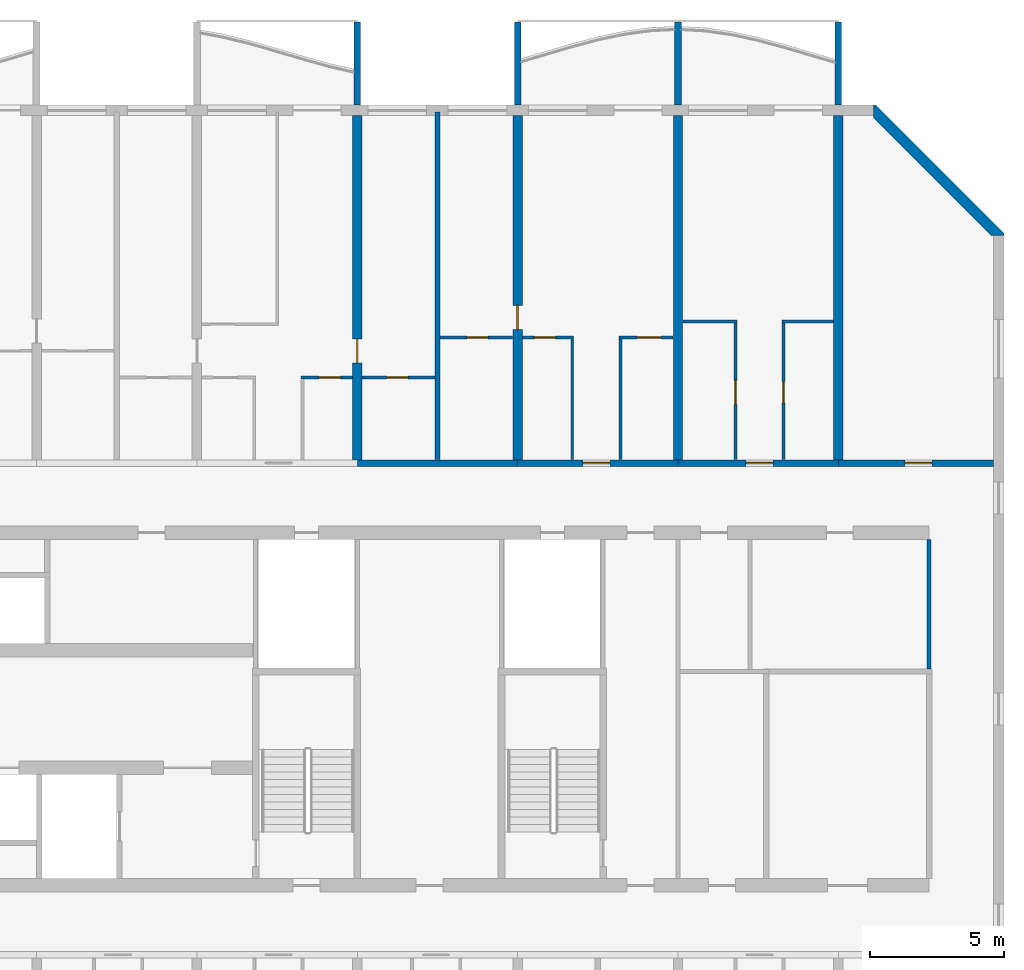
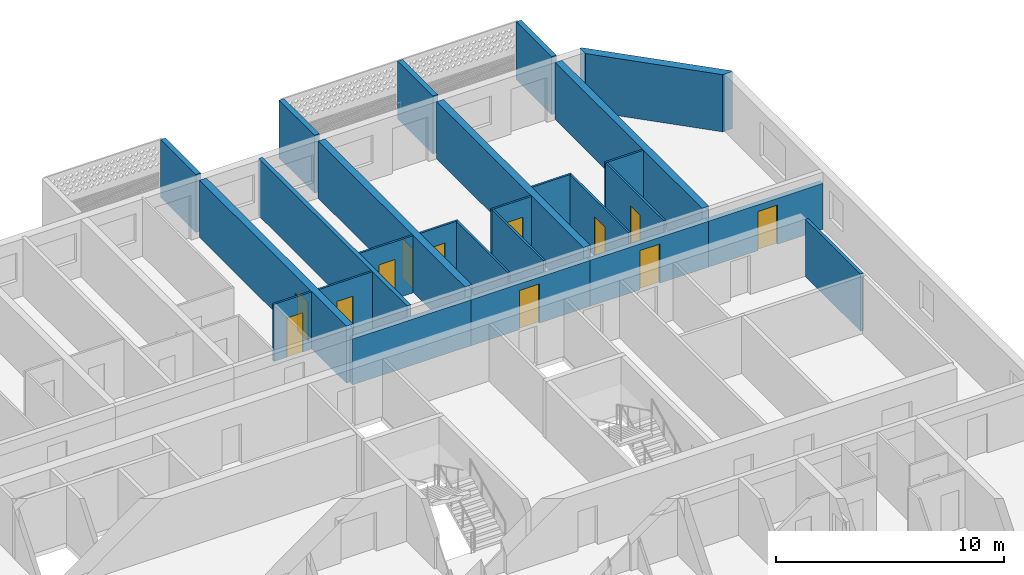
# One storey, part 15 of 26: 26 walls, 12 doors, 12 openings.
"""IFC4 building model written with IfcOpenShell, lengths in metres."""

from ifc_helpers import new_model, si_unit, direction, frame, frame_2d, origin, place, context, subcontext, project, spatial, polyline, rectangle, outline, extrude, source, transform, mapped, material, layer, layer_set, type_object, element, fill, save


model = new_model("IFC4")

# Units and contexts
model_context = context("Model", 3, precision=1e-05, world=origin(), true_north=direction((0.0, 1.0)))
body_context = subcontext(model_context, "Body", "Model", "MODEL_VIEW")
ifc_project = project(units=[si_unit("LENGTHUNIT", "METRE"), si_unit("AREAUNIT", "SQUARE_METRE"), si_unit("VOLUMEUNIT", "CUBIC_METRE"), si_unit("PLANEANGLEUNIT", "RADIAN"), si_unit("MASSUNIT", "GRAM", prefix="KILO")], contexts=[model_context])

# Site, building, storey
site_placement = place(None, origin())
site = spatial("IfcSite", under=ifc_project, at=site_placement, CompositionType="ELEMENT")
building_placement = place(site_placement, origin())
building = spatial("IfcBuilding", under=site, at=building_placement, Name="Poui Terraces", CompositionType="ELEMENT")
storey_placement = place(building_placement, frame((0.0, 0.0, 79.5)))
storey = spatial("IfcBuildingStorey", under=building, at=storey_placement, Name="L21", CompositionType="ELEMENT", Elevation=79.5)

# Walls
ifc_material_1 = material(Name="Fire-rated plasterboard wall")
ifc_layer_1 = layer(ifc_material_1, 0.14990234375)
ifc_layer_set_1 = layer_set([ifc_layer_1], Name="Fire-rated plasterboard wall")
wall_type_1 = type_object("IfcWallType", Name="CORRIDOR WALL 150", PredefinedType="PARTITIONING", material=ifc_layer_set_1)
wall_1_placement = place(storey_placement, frame((93.39990234375, 22.699951171875, 0.0), z_axis=(0.0, 0.0, 1.0), x_axis=(0.0, 1.0, 0.0)))
element("IfcWall", 1, at=wall_1_placement, inside=storey, type_object=wall_type_1, Name="CORRIDOR WALL 150", PredefinedType="PARTITIONING", context=body_context, shape_type="SweptSolid", body=[
    extrude(rectangle(XDim=4.840087890625, YDim=0.14990234375, at=frame_2d((2.419921875, 0.0))), origin(), (0.0, 0.0, 1.0), 3.06005859375),
])
ifc_material_2 = material(Name="Concrete 65 MPa", Category="concrete")
ifc_layer_2 = layer(ifc_material_2, 0.25)
ifc_layer_set_2 = layer_set([ifc_layer_2], Name="Concrete 65 MPa")
wall_type_2 = type_object("IfcWallType", Name="CORRIDOR WALL 250 65MPa", PredefinedType="SHEAR", material=ifc_layer_set_2)
wall_2_placement = place(storey_placement, frame((72.0, 30.39990234375, 0.0), z_axis=(0.0, 0.0, 1.0), x_axis=(1.0, 0.0, 0.0)))
element("IfcWall", 2, at=wall_2_placement, inside=storey, type_object=wall_type_2, Name="CORRIDOR WALL LINE E BAY 12", PredefinedType="SHEAR", context=body_context, shape_type="SweptSolid", body=[
    extrude(rectangle(XDim=6.0, YDim=0.25, at=frame_2d((3.0, 0.0))), origin(), (0.0, 0.0, 1.0), 2.4599609375),
])

# Wall, opening, door
wall_3_placement = place(storey_placement, frame((78.0, 30.39990234375, 0.0), z_axis=(0.0, 0.0, 1.0), x_axis=(1.0, 0.0, 0.0)))
wall_3 = element("IfcWall", 3, at=wall_3_placement, inside=storey, type_object=wall_type_2, Name="CORRIDOR WALL LINE E BAY 13", PredefinedType="SHEAR", context=body_context, shape_type="SweptSolid", body=[
    extrude(rectangle(XDim=6.0, YDim=0.25, at=frame_2d((3.0, 0.0))), origin(), (0.0, 0.0, 1.0), 2.4599609375),
])
opening_1_placement = place(wall_3_placement, frame((2.449951171875, 0.0, 0.0)))
opening_1 = element("IfcOpeningElement", 4, at=opening_1_placement, cuts=wall_3, Name="Opening FD30S", PredefinedType="OPENING", context=body_context, shape_type="SweptSolid", body=[
    extrude(rectangle(XDim=1.0, YDim=2.10009765625, at=frame_2d((0.5, 1.050048828125))), frame((0.0, 0.135009765625, 0.0), z_axis=(0.0, -1.0, 0.0), x_axis=(1.0, 0.0, 0.0)), (0.0, 0.0, 1.0), 0.27001953125),
])
ifc_material_3 = material(Name="Steel fire door", Category="steel")
door_type_1 = type_object("IfcDoorType", Name="FLAT ENTRANCE DOOR 1000 X 2100", OperationType="NOTDEFINED", PredefinedType="DOOR", material=ifc_material_3)
door_1_placement = place(opening_1_placement, origin())
door_1 = element("IfcDoor", 5, at=door_1_placement, inside=storey, type_object=door_type_1, Name="FLAT ENTRANCE DOOR 077", OperationType="SINGLE_SWING_LEFT", OverallHeight=2.10009765625, OverallWidth=1.0, PredefinedType="DOOR", context=body_context, shape_type="SweptSolid", body=[
    extrude(rectangle(XDim=1.0, YDim=2.10009765625, at=frame_2d((0.5, 1.050048828125))), frame((0.0, 0.02490234375, 0.0), z_axis=(0.0, -1.0, 0.0), x_axis=(1.0, 0.0, 0.0)), (0.0, 0.0, 1.0), 0.050048828125),
])
fill(opening_1, door_1)

wall_4_placement = place(storey_placement, frame((84.0, 30.39990234375, 0.0), z_axis=(0.0, 0.0, 1.0), x_axis=(1.0, 0.0, 0.0)))
wall_4 = element("IfcWall", 6, at=wall_4_placement, inside=storey, type_object=wall_type_2, Name="CORRIDOR WALL LINE E BAY 14", PredefinedType="SHEAR", context=body_context, shape_type="SweptSolid", body=[
    extrude(rectangle(XDim=6.0, YDim=0.25, at=frame_2d((3.0, 0.0))), origin(), (0.0, 0.0, 1.0), 2.4599609375),
])
opening_2_placement = place(wall_4_placement, frame((2.550048828125, 0.0, 0.0)))
opening_2 = element("IfcOpeningElement", 7, at=opening_2_placement, cuts=wall_4, Name="Opening FD30S", PredefinedType="OPENING", context=body_context, shape_type="SweptSolid", body=[
    extrude(rectangle(XDim=1.0, YDim=2.10009765625, at=frame_2d((0.5, 1.050048828125))), frame((0.0, 0.135009765625, 0.0), z_axis=(0.0, -1.0, 0.0), x_axis=(1.0, 0.0, 0.0)), (0.0, 0.0, 1.0), 0.27001953125),
])
door_2_placement = place(opening_2_placement, origin())
door_2 = element("IfcDoor", 8, at=door_2_placement, inside=storey, type_object=door_type_1, Name="FLAT ENTRANCE DOOR 080", OperationType="SINGLE_SWING_RIGHT", OverallHeight=2.10009765625, OverallWidth=1.0, PredefinedType="DOOR", context=body_context, shape_type="SweptSolid", body=[
    extrude(rectangle(XDim=1.0, YDim=2.10009765625, at=frame_2d((0.5, 1.050048828125))), frame((0.0, 0.02490234375, 0.0), z_axis=(0.0, -1.0, 0.0), x_axis=(1.0, 0.0, 0.0)), (0.0, 0.0, 1.0), 0.050048828125),
])
fill(opening_2, door_2)

wall_5_placement = place(storey_placement, frame((90.0, 30.39990234375, 0.0), z_axis=(0.0, 0.0, 1.0), x_axis=(1.0, 0.0, 0.0)))
wall_5 = element("IfcWall", 9, at=wall_5_placement, inside=storey, type_object=wall_type_2, Name="CORRIDOR WALL LINE E BAY 15", PredefinedType="SHEAR", context=body_context, shape_type="SweptSolid", body=[
    extrude(rectangle(XDim=5.800048828125, YDim=0.25, at=frame_2d((2.89990234375, 0.0))), origin(), (0.0, 0.0, 1.0), 2.4599609375),
])
opening_3_placement = place(wall_5_placement, frame((2.5, 0.0, 0.0)))
opening_3 = element("IfcOpeningElement", 10, at=opening_3_placement, cuts=wall_5, Name="Opening D100", PredefinedType="OPENING", context=body_context, shape_type="SweptSolid", body=[
    extrude(rectangle(XDim=1.0, YDim=2.10009765625, at=frame_2d((0.5, 1.050048828125))), frame((0.0, 0.135009765625, 0.0), z_axis=(0.0, -1.0, 0.0), x_axis=(1.0, 0.0, 0.0)), (0.0, 0.0, 1.0), 0.27001953125),
])
ifc_material_4 = material(Name="Solid core timber door", Category="wood")
door_type_2 = type_object("IfcDoorType", Name="ACCESSIBLE INTERNAL DOOR 1000 X 2100", OperationType="NOTDEFINED", PredefinedType="DOOR", material=ifc_material_4)
door_3_placement = place(opening_3_placement, origin())
door_3 = element("IfcDoor", 11, at=door_3_placement, inside=storey, type_object=door_type_2, Name="ACCESSIBLE INTERNAL DOOR 082", OperationType="SINGLE_SWING_LEFT", OverallHeight=2.10009765625, OverallWidth=1.0, PredefinedType="DOOR", context=body_context, shape_type="SweptSolid", body=[
    extrude(rectangle(XDim=1.0, YDim=2.10009765625, at=frame_2d((0.5, 1.050048828125))), frame((0.0, 0.02490234375, 0.0), z_axis=(0.0, -1.0, 0.0), x_axis=(1.0, 0.0, 0.0)), (0.0, 0.0, 1.0), 0.050048828125),
])
fill(opening_3, door_3)

ifc_layer_3 = layer(ifc_material_2, 0.35009765625)
ifc_layer_set_3 = layer_set([ifc_layer_3], Name="Concrete 65 MPa")
wall_type_3 = type_object("IfcWallType", Name="CROSS WALL 350 65MPa", PredefinedType="SHEAR", material=ifc_layer_set_3)
wall_6_placement = place(storey_placement, frame((72.0, 30.52490234375, 0.0), z_axis=(0.0, 0.0, 1.0), x_axis=(0.0, 1.0, 0.0)))
wall_6 = element("IfcWall", 12, at=wall_6_placement, inside=storey, type_object=wall_type_3, Name="CROSS WALL LINE 13 NORTH", PredefinedType="SHEAR", context=body_context, shape_type="SweptSolid", body=[
    extrude(rectangle(XDim=12.875, YDim=0.35009765625, at=frame_2d((6.4375, 0.0))), origin(), (0.0, 0.0, 1.0), 3.06005859375),
])
opening_4_placement = place(wall_6_placement, frame((3.625, 0.0, 0.0)))
opening_4 = element("IfcOpeningElement", 13, at=opening_4_placement, cuts=wall_6, Name="Opening D90", PredefinedType="OPENING", context=body_context, shape_type="SweptSolid", body=[
    extrude(rectangle(XDim=0.89990234375, YDim=2.10009765625, at=frame_2d((0.449951171875, 1.050048828125))), frame((0.0, 0.18505859375, 0.0), z_axis=(0.0, -1.0, 0.0), x_axis=(1.0, 0.0, 0.0)), (0.0, 0.0, 1.0), 0.3701171875),
])
door_type_3 = type_object("IfcDoorType", Name="INTERNAL DOOR 900 X 2100", OperationType="NOTDEFINED", PredefinedType="DOOR", material=ifc_material_4)
door_4_placement = place(opening_4_placement, frame((0.89990234375, 0.0, 0.0), z_axis=(0.0, 0.0, 1.0), x_axis=(-1.0, 0.0, 0.0)))
door_4 = element("IfcDoor", 14, at=door_4_placement, inside=storey, type_object=door_type_3, Name="INTERNAL DOOR 073", OperationType="SINGLE_SWING_RIGHT", OverallHeight=2.10009765625, OverallWidth=0.89990234375, PredefinedType="DOOR", context=body_context, shape_type="SweptSolid", body=[
    extrude(rectangle(XDim=0.89990234375, YDim=2.10009765625, at=frame_2d((0.449951171875, 1.050048828125))), frame((0.0, 0.02490234375, 0.0), z_axis=(0.0, -1.0, 0.0), x_axis=(1.0, 0.0, 0.0)), (0.0, 0.0, 1.0), 0.050048828125),
])
fill(opening_4, door_4)

wall_7_placement = place(storey_placement, frame((78.0, 30.52490234375, 0.0), z_axis=(0.0, 0.0, 1.0), x_axis=(0.0, 1.0, 0.0)))
wall_7 = element("IfcWall", 15, at=wall_7_placement, inside=storey, type_object=wall_type_3, Name="CROSS WALL LINE 14 NORTH", PredefinedType="SHEAR", context=body_context, shape_type="SweptSolid", body=[
    extrude(rectangle(XDim=12.875, YDim=0.35009765625, at=frame_2d((6.4375, 0.0))), origin(), (0.0, 0.0, 1.0), 3.06005859375),
])
opening_5_placement = place(wall_7_placement, frame((4.875, 0.0, 0.0)))
opening_5 = element("IfcOpeningElement", 16, at=opening_5_placement, cuts=wall_7, Name="Opening D90", PredefinedType="OPENING", context=body_context, shape_type="SweptSolid", body=[
    extrude(rectangle(XDim=0.89990234375, YDim=2.10009765625, at=frame_2d((0.449951171875, 1.050048828125))), frame((0.0, 0.18505859375, 0.0), z_axis=(0.0, -1.0, 0.0), x_axis=(1.0, 0.0, 0.0)), (0.0, 0.0, 1.0), 0.3701171875),
])
door_5_placement = place(opening_5_placement, origin())
door_5 = element("IfcDoor", 17, at=door_5_placement, inside=storey, type_object=door_type_3, Name="INTERNAL DOOR 075", OperationType="SINGLE_SWING_LEFT", OverallHeight=2.10009765625, OverallWidth=0.89990234375, PredefinedType="DOOR", context=body_context, shape_type="SweptSolid", body=[
    extrude(rectangle(XDim=0.89990234375, YDim=2.10009765625, at=frame_2d((0.449951171875, 1.050048828125))), frame((0.0, 0.02490234375, 0.0), z_axis=(0.0, -1.0, 0.0), x_axis=(1.0, 0.0, 0.0)), (0.0, 0.0, 1.0), 0.050048828125),
])
fill(opening_5, door_5)

# Walls
for number, where, z_axis, x_axis, name in (
    (18, (84.0, 30.52490234375, 0.0), (0.0, 0.0, 1.0), (0.0, 1.0, 0.0), "CROSS WALL LINE 15 NORTH"),
    (19, (90.0, 30.52490234375, 0.0), (0.0, 0.0, 1.0), (0.0, 1.0, 0.0), "CROSS WALL LINE 16 NORTH"),
):
    element("IfcWall", number, at=place(storey_placement, frame(where, z_axis=z_axis, x_axis=x_axis)), inside=storey, type_object=wall_type_3, Name=name, PredefinedType="SHEAR", context=body_context, shape_type="SweptSolid", body=[
        extrude(rectangle(XDim=12.875, YDim=0.35009765625, at=frame_2d((6.4375, 0.0))), origin(), (0.0, 0.0, 1.0), 3.06005859375),
    ])

# Wall, opening, door
ifc_material_5 = material(Name="Plasterboard partition")
ifc_layer_4 = layer(ifc_material_5, 0.10009765625)
ifc_layer_set_4 = layer_set([ifc_layer_4], Name="Plasterboard partition")
wall_type_4 = type_object("IfcWallType", Name="FLAT PARTITION 100", PredefinedType="PARTITIONING", material=ifc_layer_set_4)
wall_8_placement = place(storey_placement, frame((69.89990234375, 33.60009765625, 0.0), z_axis=(0.0, 0.0, 1.0), x_axis=(1.0, 0.0, 0.0)))
wall_8 = element("IfcWall", 20, at=wall_8_placement, inside=storey, type_object=wall_type_4, Name="FLAT PARTITION 100", PredefinedType="PARTITIONING", context=body_context, shape_type="SweptSolid", body=[
    extrude(rectangle(XDim=1.9150390625, YDim=0.10009765625, at=frame_2d((0.95751953125, 0.0))), origin(), (0.0, 0.0, 1.0), 3.06005859375),
])
opening_6_placement = place(wall_8_placement, frame((0.675048828125, 0.0, 0.0)))
opening_6 = element("IfcOpeningElement", 21, at=opening_6_placement, cuts=wall_8, Name="Opening D80", PredefinedType="OPENING", context=body_context, shape_type="SweptSolid", body=[
    extrude(rectangle(XDim=0.800048828125, YDim=2.10009765625, at=frame_2d((0.39990234375, 1.050048828125))), frame((0.0, 0.06005859375, 0.0), z_axis=(0.0, -1.0, 0.0), x_axis=(1.0, 0.0, 0.0)), (0.0, 0.0, 1.0), 0.1201171875),
])
door_type_4 = type_object("IfcDoorType", Name="BATHROOM, LAUNDRY AND STORE DOOR 800 X 2100", OperationType="NOTDEFINED", PredefinedType="DOOR", material=ifc_material_4)
door_6_placement = place(opening_6_placement, frame((0.800048828125, 0.0, 0.0), z_axis=(0.0, 0.0, 1.0), x_axis=(-1.0, 0.0, 0.0)))
door_6 = element("IfcDoor", 22, at=door_6_placement, inside=storey, type_object=door_type_4, Name="BATHROOM, LAUNDRY AND STORE DOOR 072", OperationType="SINGLE_SWING_LEFT", OverallHeight=2.10009765625, OverallWidth=0.800048828125, PredefinedType="DOOR", context=body_context, shape_type="SweptSolid", body=[
    extrude(rectangle(XDim=0.800048828125, YDim=2.10009765625, at=frame_2d((0.39990234375, 1.050048828125))), frame((0.0, 0.02490234375, 0.0), z_axis=(0.0, -1.0, 0.0), x_axis=(1.0, 0.0, 0.0)), (0.0, 0.0, 1.0), 0.050048828125),
])
fill(opening_6, door_6)

wall_9_placement = place(storey_placement, frame((72.18505859375, 33.60009765625, 0.0), z_axis=(0.0, 0.0, 1.0), x_axis=(1.0, 0.0, 0.0)))
wall_9 = element("IfcWall", 23, at=wall_9_placement, inside=storey, type_object=wall_type_4, Name="FLAT PARTITION 100", PredefinedType="PARTITIONING", context=body_context, shape_type="SweptSolid", body=[
    extrude(rectangle(XDim=2.71484375, YDim=0.10009765625, at=frame_2d((1.357421875, 0.0))), origin(), (0.0, 0.0, 1.0), 3.06005859375),
])
opening_7_placement = place(wall_9_placement, frame((0.9150390625, 0.0, 0.0)))
opening_7 = element("IfcOpeningElement", 24, at=opening_7_placement, cuts=wall_9, Name="Opening D80", PredefinedType="OPENING", context=body_context, shape_type="SweptSolid", body=[
    extrude(rectangle(XDim=0.800048828125, YDim=2.10009765625, at=frame_2d((0.39990234375, 1.050048828125))), frame((0.0, 0.06005859375, 0.0), z_axis=(0.0, -1.0, 0.0), x_axis=(1.0, 0.0, 0.0)), (0.0, 0.0, 1.0), 0.1201171875),
])
door_7_placement = place(opening_7_placement, frame((0.800048828125, 0.0, 0.0), z_axis=(0.0, 0.0, 1.0), x_axis=(-1.0, 0.0, 0.0)))
door_7 = element("IfcDoor", 25, at=door_7_placement, inside=storey, type_object=door_type_4, Name="BATHROOM, LAUNDRY AND STORE DOOR 067", OperationType="SINGLE_SWING_RIGHT", OverallHeight=2.10009765625, OverallWidth=0.800048828125, PredefinedType="DOOR", context=body_context, shape_type="SweptSolid", body=[
    extrude(rectangle(XDim=0.800048828125, YDim=2.10009765625, at=frame_2d((0.39990234375, 1.050048828125))), frame((0.0, 0.02490234375, 0.0), z_axis=(0.0, -1.0, 0.0), x_axis=(1.0, 0.0, 0.0)), (0.0, 0.0, 1.0), 0.050048828125),
])
fill(opening_7, door_7)

wall_10_placement = place(storey_placement, frame((75.10009765625, 35.10009765625, 0.0), z_axis=(0.0, 0.0, 1.0), x_axis=(1.0, 0.0, 0.0)))
wall_10 = element("IfcWall", 26, at=wall_10_placement, inside=storey, type_object=wall_type_4, Name="FLAT PARTITION 100", PredefinedType="PARTITIONING", context=body_context, shape_type="SweptSolid", body=[
    extrude(rectangle(XDim=2.71484375, YDim=0.10009765625, at=frame_2d((1.357421875, 0.0))), origin(), (0.0, 0.0, 1.0), 3.06005859375),
])
opening_8_placement = place(wall_10_placement, frame((1.0, 0.0, 0.0)))
opening_8 = element("IfcOpeningElement", 27, at=opening_8_placement, cuts=wall_10, Name="Opening D80", PredefinedType="OPENING", context=body_context, shape_type="SweptSolid", body=[
    extrude(rectangle(XDim=0.800048828125, YDim=2.10009765625, at=frame_2d((0.39990234375, 1.050048828125))), frame((0.0, 0.06005859375, 0.0), z_axis=(0.0, -1.0, 0.0), x_axis=(1.0, 0.0, 0.0)), (0.0, 0.0, 1.0), 0.1201171875),
])
door_8_placement = place(opening_8_placement, frame((0.800048828125, 0.0, 0.0), z_axis=(0.0, 0.0, 1.0), x_axis=(-1.0, 0.0, 0.0)))
door_8 = element("IfcDoor", 28, at=door_8_placement, inside=storey, type_object=door_type_4, Name="BATHROOM, LAUNDRY AND STORE DOOR 074", OperationType="SINGLE_SWING_LEFT", OverallHeight=2.10009765625, OverallWidth=0.800048828125, PredefinedType="DOOR", context=body_context, shape_type="SweptSolid", body=[
    extrude(rectangle(XDim=0.800048828125, YDim=2.10009765625, at=frame_2d((0.39990234375, 1.050048828125))), frame((0.0, 0.02490234375, 0.0), z_axis=(0.0, -1.0, 0.0), x_axis=(1.0, 0.0, 0.0)), (0.0, 0.0, 1.0), 0.050048828125),
])
fill(opening_8, door_8)

wall_11_placement = place(storey_placement, frame((78.18505859375, 35.10009765625, 0.0), z_axis=(0.0, 0.0, 1.0), x_axis=(1.0, 0.0, 0.0)))
wall_11 = element("IfcWall", 29, at=wall_11_placement, inside=storey, type_object=wall_type_4, Name="FLAT PARTITION 100", PredefinedType="PARTITIONING", context=body_context, shape_type="SweptSolid", body=[
    extrude(rectangle(XDim=1.9150390625, YDim=0.10009765625, at=frame_2d((0.95751953125, 0.0))), origin(), (0.0, 0.0, 1.0), 3.06005859375),
])
opening_9_placement = place(wall_11_placement, frame((0.43994140625, 0.0, 0.0)))
opening_9 = element("IfcOpeningElement", 30, at=opening_9_placement, cuts=wall_11, Name="Opening D80", PredefinedType="OPENING", context=body_context, shape_type="SweptSolid", body=[
    extrude(rectangle(XDim=0.800048828125, YDim=2.10009765625, at=frame_2d((0.39990234375, 1.050048828125))), frame((0.0, 0.06005859375, 0.0), z_axis=(0.0, -1.0, 0.0), x_axis=(1.0, 0.0, 0.0)), (0.0, 0.0, 1.0), 0.1201171875),
])
door_9_placement = place(opening_9_placement, frame((0.800048828125, 0.0, 0.0), z_axis=(0.0, 0.0, 1.0), x_axis=(-1.0, 0.0, 0.0)))
door_9 = element("IfcDoor", 31, at=door_9_placement, inside=storey, type_object=door_type_4, Name="BATHROOM, LAUNDRY AND STORE DOOR 076", OperationType="SINGLE_SWING_RIGHT", OverallHeight=2.10009765625, OverallWidth=0.800048828125, PredefinedType="DOOR", context=body_context, shape_type="SweptSolid", body=[
    extrude(rectangle(XDim=0.800048828125, YDim=2.10009765625, at=frame_2d((0.39990234375, 1.050048828125))), frame((0.0, 0.02490234375, 0.0), z_axis=(0.0, -1.0, 0.0), x_axis=(1.0, 0.0, 0.0)), (0.0, 0.0, 1.0), 0.050048828125),
])
fill(opening_9, door_9)

wall_12_placement = place(storey_placement, frame((81.800048828125, 35.10009765625, 0.0), z_axis=(0.0, 0.0, 1.0), x_axis=(1.0, 0.0, 0.0)))
wall_12 = element("IfcWall", 32, at=wall_12_placement, inside=storey, type_object=wall_type_4, Name="FLAT PARTITION 100", PredefinedType="PARTITIONING", context=body_context, shape_type="SweptSolid", body=[
    extrude(rectangle(XDim=2.014892578125, YDim=0.10009765625, at=frame_2d((1.00732421875, 0.0))), origin(), (0.0, 0.0, 1.0), 3.06005859375),
])
opening_10_placement = place(wall_12_placement, frame((0.675048828125, 0.0, 0.0)))
opening_10 = element("IfcOpeningElement", 33, at=opening_10_placement, cuts=wall_12, Name="Opening D90", PredefinedType="OPENING", context=body_context, shape_type="SweptSolid", body=[
    extrude(rectangle(XDim=0.89990234375, YDim=2.10009765625, at=frame_2d((0.449951171875, 1.050048828125))), frame((0.0, 0.06005859375, 0.0), z_axis=(0.0, -1.0, 0.0), x_axis=(1.0, 0.0, 0.0)), (0.0, 0.0, 1.0), 0.1201171875),
])
door_10_placement = place(opening_10_placement, frame((0.89990234375, 0.0, 0.0), z_axis=(0.0, 0.0, 1.0), x_axis=(-1.0, 0.0, 0.0)))
door_10 = element("IfcDoor", 34, at=door_10_placement, inside=storey, type_object=door_type_3, Name="INTERNAL DOOR 078", OperationType="SINGLE_SWING_LEFT", OverallHeight=2.10009765625, OverallWidth=0.89990234375, PredefinedType="DOOR", context=body_context, shape_type="SweptSolid", body=[
    extrude(rectangle(XDim=0.89990234375, YDim=2.10009765625, at=frame_2d((0.449951171875, 1.050048828125))), frame((0.0, 0.02490234375, 0.0), z_axis=(0.0, -1.0, 0.0), x_axis=(1.0, 0.0, 0.0)), (0.0, 0.0, 1.0), 0.050048828125),
])
fill(opening_10, door_10)

# Walls
wall_13_placement = place(storey_placement, frame((84.18505859375, 35.699951171875, 0.0), z_axis=(0.0, 0.0, 1.0), x_axis=(1.0, 0.0, 0.0)))
element("IfcWall", 35, at=wall_13_placement, inside=storey, type_object=wall_type_4, Name="FLAT PARTITION 100", PredefinedType="PARTITIONING", context=body_context, shape_type="SweptSolid", body=[
    extrude(rectangle(XDim=2.014892578125, YDim=0.10009765625, at=frame_2d((1.00732421875, 0.0))), origin(), (0.0, 0.0, 1.0), 3.06005859375),
])
wall_14_placement = place(storey_placement, frame((87.89990234375, 35.699951171875, 0.0), z_axis=(0.0, 0.0, 1.0), x_axis=(1.0, 0.0, 0.0)))
element("IfcWall", 36, at=wall_14_placement, inside=storey, type_object=wall_type_4, Name="FLAT PARTITION 100", PredefinedType="PARTITIONING", context=body_context, shape_type="SweptSolid", body=[
    extrude(rectangle(XDim=1.9150390625, YDim=0.10009765625, at=frame_2d((0.95751953125, 0.0))), origin(), (0.0, 0.0, 1.0), 3.06005859375),
])
for number, where, z_axis, x_axis, name in (
    (37, (80.050048828125, 30.534912109375, 0.0), (0.0, 0.0, 1.0), (0.0, 1.0, 0.0), "FLAT PARTITION 100"),
    (38, (81.85009765625, 30.534912109375, 0.0), (0.0, 0.0, 1.0), (0.0, 1.0, 0.0), "FLAT PARTITION 100"),
):
    element("IfcWall", number, at=place(storey_placement, frame(where, z_axis=z_axis, x_axis=x_axis)), inside=storey, type_object=wall_type_4, Name=name, PredefinedType="PARTITIONING", context=body_context, shape_type="SweptSolid", body=[
        extrude(rectangle(XDim=4.51513671875, YDim=0.10009765625, at=frame_2d((2.257568359375, 0.0))), origin(), (0.0, 0.0, 1.0), 3.06005859375),
    ])

# Wall, opening, door
wall_15_placement = place(storey_placement, frame((86.14990234375, 30.534912109375, 0.0), z_axis=(0.0, 0.0, 1.0), x_axis=(0.0, 1.0, 0.0)))
wall_15 = element("IfcWall", 39, at=wall_15_placement, inside=storey, type_object=wall_type_4, Name="FLAT PARTITION 100", PredefinedType="PARTITIONING", context=body_context, shape_type="SweptSolid", body=[
    extrude(rectangle(XDim=5.114990234375, YDim=0.10009765625, at=frame_2d((2.5576171875, 0.0))), origin(), (0.0, 0.0, 1.0), 3.06005859375),
])
opening_11_placement = place(wall_15_placement, frame((2.06494140625, 0.0, 0.0)))
opening_11 = element("IfcOpeningElement", 40, at=opening_11_placement, cuts=wall_15, Name="Opening D90", PredefinedType="OPENING", context=body_context, shape_type="SweptSolid", body=[
    extrude(rectangle(XDim=0.89990234375, YDim=2.10009765625, at=frame_2d((0.449951171875, 1.050048828125))), frame((0.0, 0.06005859375, 0.0), z_axis=(0.0, -1.0, 0.0), x_axis=(1.0, 0.0, 0.0)), (0.0, 0.0, 1.0), 0.1201171875),
])
door_11_placement = place(opening_11_placement, origin())
door_11 = element("IfcDoor", 41, at=door_11_placement, inside=storey, type_object=door_type_3, Name="INTERNAL DOOR 079", OperationType="SINGLE_SWING_RIGHT", OverallHeight=2.10009765625, OverallWidth=0.89990234375, PredefinedType="DOOR", context=body_context, shape_type="SweptSolid", body=[
    extrude(rectangle(XDim=0.89990234375, YDim=2.10009765625, at=frame_2d((0.449951171875, 1.050048828125))), frame((0.0, 0.02490234375, 0.0), z_axis=(0.0, -1.0, 0.0), x_axis=(1.0, 0.0, 0.0)), (0.0, 0.0, 1.0), 0.050048828125),
])
fill(opening_11, door_11)

wall_16_placement = place(storey_placement, frame((87.949951171875, 30.534912109375, 0.0), z_axis=(0.0, 0.0, 1.0), x_axis=(0.0, 1.0, 0.0)))
wall_16 = element("IfcWall", 42, at=wall_16_placement, inside=storey, type_object=wall_type_4, Name="FLAT PARTITION 100", PredefinedType="PARTITIONING", context=body_context, shape_type="SweptSolid", body=[
    extrude(rectangle(XDim=5.114990234375, YDim=0.10009765625, at=frame_2d((2.5576171875, 0.0))), origin(), (0.0, 0.0, 1.0), 3.06005859375),
])
opening_12_placement = place(wall_16_placement, frame((2.114990234375, 0.0, 0.0)))
opening_12 = element("IfcOpeningElement", 43, at=opening_12_placement, cuts=wall_16, Name="Opening D80", PredefinedType="OPENING", context=body_context, shape_type="SweptSolid", body=[
    extrude(rectangle(XDim=0.800048828125, YDim=2.10009765625, at=frame_2d((0.39990234375, 1.050048828125))), frame((0.0, 0.06005859375, 0.0), z_axis=(0.0, -1.0, 0.0), x_axis=(1.0, 0.0, 0.0)), (0.0, 0.0, 1.0), 0.1201171875),
])
door_12_placement = place(opening_12_placement, frame((0.800048828125, 0.0, 0.0), z_axis=(0.0, 0.0, 1.0), x_axis=(-1.0, 0.0, 0.0)))
door_12 = element("IfcDoor", 44, at=door_12_placement, inside=storey, type_object=door_type_4, Name="BATHROOM, LAUNDRY AND STORE DOOR 081", OperationType="SINGLE_SWING_RIGHT", OverallHeight=2.10009765625, OverallWidth=0.800048828125, PredefinedType="DOOR", context=body_context, shape_type="SweptSolid", body=[
    extrude(rectangle(XDim=0.800048828125, YDim=2.10009765625, at=frame_2d((0.39990234375, 1.050048828125))), frame((0.0, 0.02490234375, 0.0), z_axis=(0.0, -1.0, 0.0), x_axis=(1.0, 0.0, 0.0)), (0.0, 0.0, 1.0), 0.050048828125),
])
fill(opening_12, door_12)

# Walls
ifc_material_6 = material(Name="Fire-rated masonry wall", Category="masonry")
ifc_layer_5 = layer(ifc_material_6, 0.199951171875)
ifc_layer_set_5 = layer_set([ifc_layer_5], Name="Fire-rated masonry wall")
wall_type_5 = type_object("IfcWallType", Name="FLAT PARTY WALL 200", PredefinedType="PARTITIONING", material=ifc_layer_set_5)
wall_17_placement = place(storey_placement, frame((75.0, 30.534912109375, 0.0), z_axis=(0.0, 0.0, 1.0), x_axis=(0.0, 1.0, 0.0)))
element("IfcWall", 45, at=wall_17_placement, inside=storey, type_object=wall_type_5, Name="FLAT PARTY WALL 200", PredefinedType="PARTITIONING", context=body_context, shape_type="SweptSolid", body=[
    extrude(rectangle(XDim=13.005126953125, YDim=0.199951171875, at=frame_2d((6.50244140625, 0.0))), origin(), (0.0, 0.0, 1.0), 3.06005859375),
])
ifc_material_7 = material(Name="Precast concrete 40 MPa", Category="concrete")
ifc_layer_6 = layer(ifc_material_7, 0.39990234375)
ifc_layer_set_6 = layer_set([ifc_layer_6], Name="Precast concrete 40 MPa")
wall_type_6 = type_object("IfcWallType", Name="TERRACOTTA CLAD CHAMFER WALL 400", PredefinedType="STANDARD", material=ifc_layer_set_6)
wall_18_placement = place(storey_placement, origin())
element("IfcWall", 46, at=wall_18_placement, inside=storey, type_object=wall_type_6, Name="CHAMFER WALL CH03", PredefinedType="STANDARD", context=body_context, shape_type="SweptSolid", body=[
    extrude(outline(polyline([(96.199951171875, 38.917236328125), (96.199951171875, 39.0), (91.39990234375, 43.800048828125), (91.317138671875, 43.800048828125), (91.317138671875, 43.317138671875), (95.71728515625, 38.917236328125), (96.199951171875, 38.917236328125)])), origin(), (0.0, 0.0, 1.0), 3.06005859375),
])
ifc_layer_7 = layer(ifc_material_7, 0.25)
ifc_layer_set_7 = layer_set([ifc_layer_7], Name="Precast concrete 40 MPa")
wall_type_7 = type_object("IfcWallType", Name="BALCONY FIN 250", PredefinedType="STANDARD", material=ifc_layer_set_7)
shared_shape = source(origin(), body_context, "Body", "SweptSolid", [
    extrude(outline(polyline([(0.0, 0.0), (0.25, 0.0), (0.25, 3.099853515625), (0.0, 3.099853515625), (0.0, 0.0)])), origin(), (0.0, 0.0, 1.0), 3.10009765625),
])
for number, where, name in (
    (47, (71.875, 43.800048828125, 0.0), "BALCONY FIN"),
    (48, (77.875, 43.800048828125, 0.0), "BALCONY FIN"),
    (49, (83.875, 43.800048828125, 0.0), "BALCONY FIN"),
    (50, (89.875, 43.800048828125, 0.0), "BALCONY FIN"),
):
    element("IfcWall", number, at=place(storey_placement, frame(where)), inside=storey, type_object=wall_type_7, Name=name, PredefinedType="STANDARD", context=body_context, shape_type="MappedRepresentation", body=[
        mapped(shared_shape, transform((0.0, 0.0, 0.0))),
    ])

save(model, "model.ifc")
